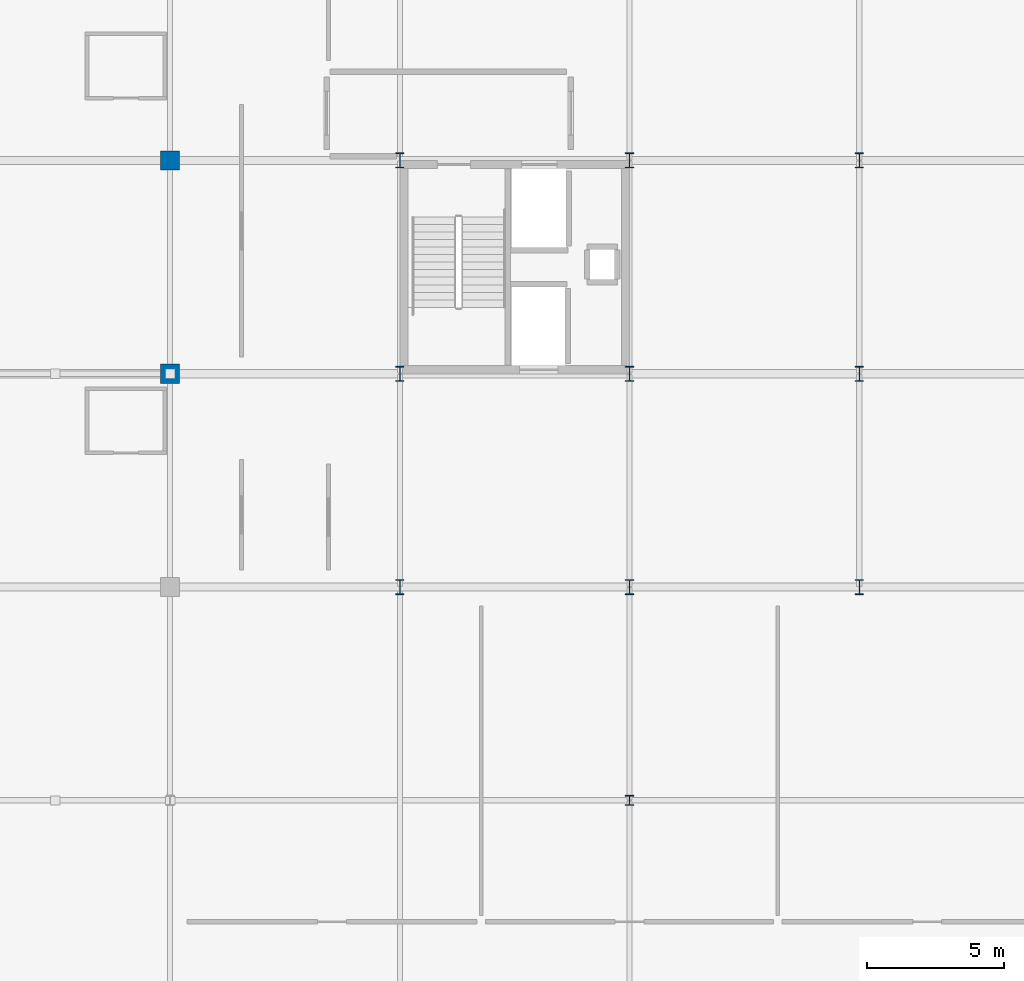
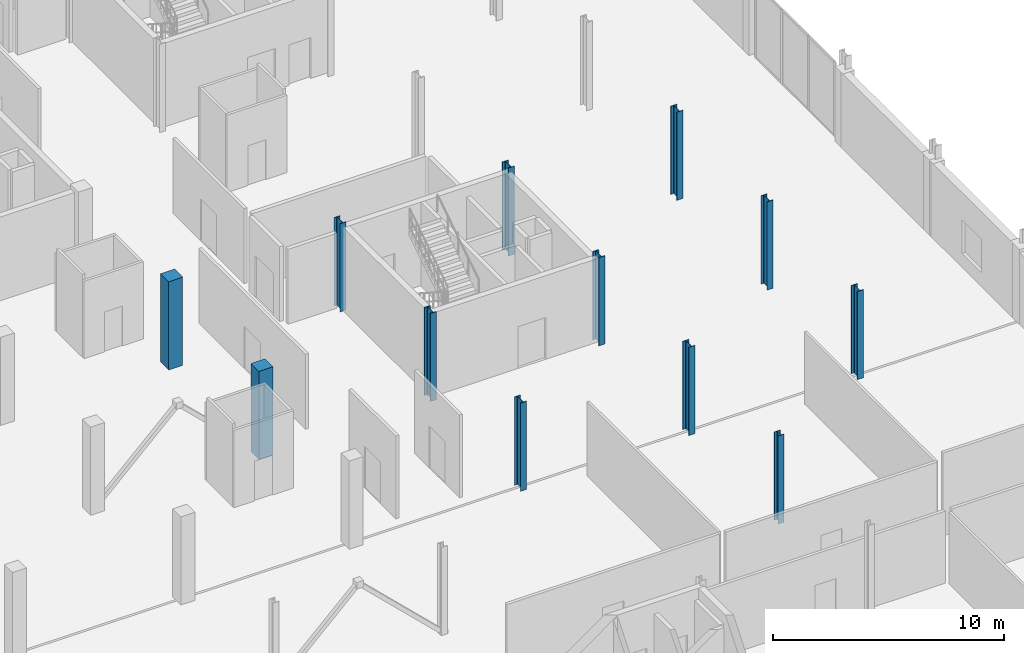
# One storey, part 13 of 98: 12 columns.
"""IFC4 building model written with IfcOpenShell, lengths in metres."""

from ifc_helpers import new_model, si_unit, direction, frame, origin, origin_2d, place, context, subcontext, project, spatial, rectangle, i_section, extrude, material, material_profile, profile_set, type_object, element, save


model = new_model("IFC4")

# Units and contexts
model_context = context("Model", 3, precision=1e-05, world=origin(), true_north=direction((0.0, 1.0)))
body_context = subcontext(model_context, "Body", "Model", "MODEL_VIEW")
ifc_project = project(units=[si_unit("LENGTHUNIT", "METRE"), si_unit("AREAUNIT", "SQUARE_METRE"), si_unit("VOLUMEUNIT", "CUBIC_METRE"), si_unit("PLANEANGLEUNIT", "RADIAN"), si_unit("MASSUNIT", "GRAM", prefix="KILO")], contexts=[model_context])

# Site, building, storey
site_placement = place(None, origin())
site = spatial("IfcSite", under=ifc_project, at=site_placement, CompositionType="ELEMENT")
building_placement = place(site_placement, origin())
building = spatial("IfcBuilding", under=site, at=building_placement, Name="Nabrawat Pavilion Hospital", CompositionType="ELEMENT")
storey_placement = place(building_placement, frame((0.0, 0.0, 10.199951171875)))
storey = spatial("IfcBuildingStorey", under=building, at=storey_placement, Name="L02", CompositionType="ELEMENT", Elevation=10.199951171875)

# Columns
ifc_material_1 = material(Name="Steel S355", Category="steel")
ifc_material_profile_1 = material_profile(ifc_material_1, i_section(OverallWidth=0.300048828125, OverallDepth=0.550048828125, WebThickness=0.014892578125, FlangeThickness=0.029052734375, FilletRadius=0.027099609375, at=origin_2d()), Name="HEB 550")
ifc_profile_set_1 = profile_set([ifc_material_profile_1], Name="Steel S355")
column_type_1 = type_object("IfcColumnType", Name="Composite Steel Column HEB 550", PredefinedType="COLUMN", material=ifc_profile_set_1)
for number, where, z_axis, x_axis, name in (
    (1, (168.0, 39.0, 0.0), (0.0, 0.0, 1.0), (1.0, 0.0, 0.0), "L02 Structural Column G-21-F1"),
    (2, (168.0, 46.800048828125, 0.0), (0.0, 0.0, 1.0), (1.0, 0.0, 0.0), "L02 Structural Column G-21-G"),
    (3, (168.0, 54.60009765625, 0.0), (0.0, 0.0, 1.0), (1.0, 0.0, 0.0), "L02 Structural Column G-21-H"),
    (4, (176.39990234375, 39.0, 0.0), (0.0, 0.0, 1.0), (1.0, 0.0, 0.0), "L02 Structural Column G-22-F1"),
    (5, (176.39990234375, 46.800048828125, 0.0), (0.0, 0.0, 1.0), (1.0, 0.0, 0.0), "L02 Structural Column G-22-G"),
    (6, (176.39990234375, 54.60009765625, 0.0), (0.0, 0.0, 1.0), (1.0, 0.0, 0.0), "L02 Structural Column G-22-H"),
    (7, (184.800048828125, 39.0, 0.0), (0.0, 0.0, 1.0), (1.0, 0.0, 0.0), "L02 Structural Column G-23-F1"),
    (8, (184.800048828125, 46.800048828125, 0.0), (0.0, 0.0, 1.0), (1.0, 0.0, 0.0), "L02 Structural Column G-23-G"),
    (9, (184.800048828125, 54.60009765625, 0.0), (0.0, 0.0, 1.0), (1.0, 0.0, 0.0), "L02 Structural Column G-23-H"),
):
    element("IfcColumn", number, at=place(storey_placement, frame(where, z_axis=z_axis, x_axis=x_axis)), inside=storey, type_object=column_type_1, Name=name, PredefinedType="COLUMN", context=body_context, shape_type="SweptSolid", body=[
        extrude(i_section(OverallWidth=0.300048828125, OverallDepth=0.550048828125, WebThickness=0.014892578125, FlangeThickness=0.029052734375, FilletRadius=0.027099609375, at=origin_2d()), origin(), (0.0, 0.0, 1.0), 4.650146484375),
    ])
ifc_material_2 = material(Name="Concrete C40/50", Category="concrete")
ifc_material_profile_2 = material_profile(ifc_material_2, rectangle(XDim=0.699951171875, YDim=0.699951171875, at=origin_2d()), Name="RC 700x700")
ifc_profile_set_2 = profile_set([ifc_material_profile_2], Name="Concrete C40/50")
column_type_2 = type_object("IfcColumnType", Name="Mid-Tier Ward RC Column 700x700", PredefinedType="COLUMN", material=ifc_profile_set_2)
for number, where, z_axis, x_axis, name in (
    (10, (159.60009765625, 46.800048828125, 0.0), (0.0, 0.0, 1.0), (1.0, 0.0, 0.0), "L02 Structural Column G-20-G"),
    (11, (159.60009765625, 54.60009765625, 0.0), (0.0, 0.0, 1.0), (1.0, 0.0, 0.0), "L02 Structural Column G-20-H"),
):
    element("IfcColumn", number, at=place(storey_placement, frame(where, z_axis=z_axis, x_axis=x_axis)), inside=storey, type_object=column_type_2, Name=name, PredefinedType="COLUMN", context=body_context, shape_type="SweptSolid", body=[
        extrude(rectangle(XDim=0.699951171875, YDim=0.699951171875, at=origin_2d()), origin(), (0.0, 0.0, 1.0), 4.650146484375),
    ])
ifc_material_profile_3 = material_profile(ifc_material_1, i_section(OverallWidth=0.300048828125, OverallDepth=0.360107421875, WebThickness=0.012451171875, FlangeThickness=0.0224609375, FilletRadius=0.027099609375, at=origin_2d()), Name="HEB 360")
ifc_profile_set_3 = profile_set([ifc_material_profile_3], Name="Steel S355")
column_type_3 = type_object("IfcColumnType", Name="Upper Steel Column HEB 360", PredefinedType="COLUMN", material=ifc_profile_set_3)
column_placement = place(storey_placement, frame((176.39990234375, 31.199951171875, 0.0), z_axis=(0.0, 0.0, 1.0), x_axis=(1.0, 0.0, 0.0)))
element("IfcColumn", 12, at=column_placement, inside=storey, type_object=column_type_3, Name="L02 Structural Column G-22-E", PredefinedType="COLUMN", context=body_context, shape_type="SweptSolid", body=[
    extrude(i_section(OverallWidth=0.300048828125, OverallDepth=0.360107421875, WebThickness=0.012451171875, FlangeThickness=0.0224609375, FilletRadius=0.027099609375, at=origin_2d()), origin(), (0.0, 0.0, 1.0), 4.650146484375),
])

save(model, "model.ifc")
